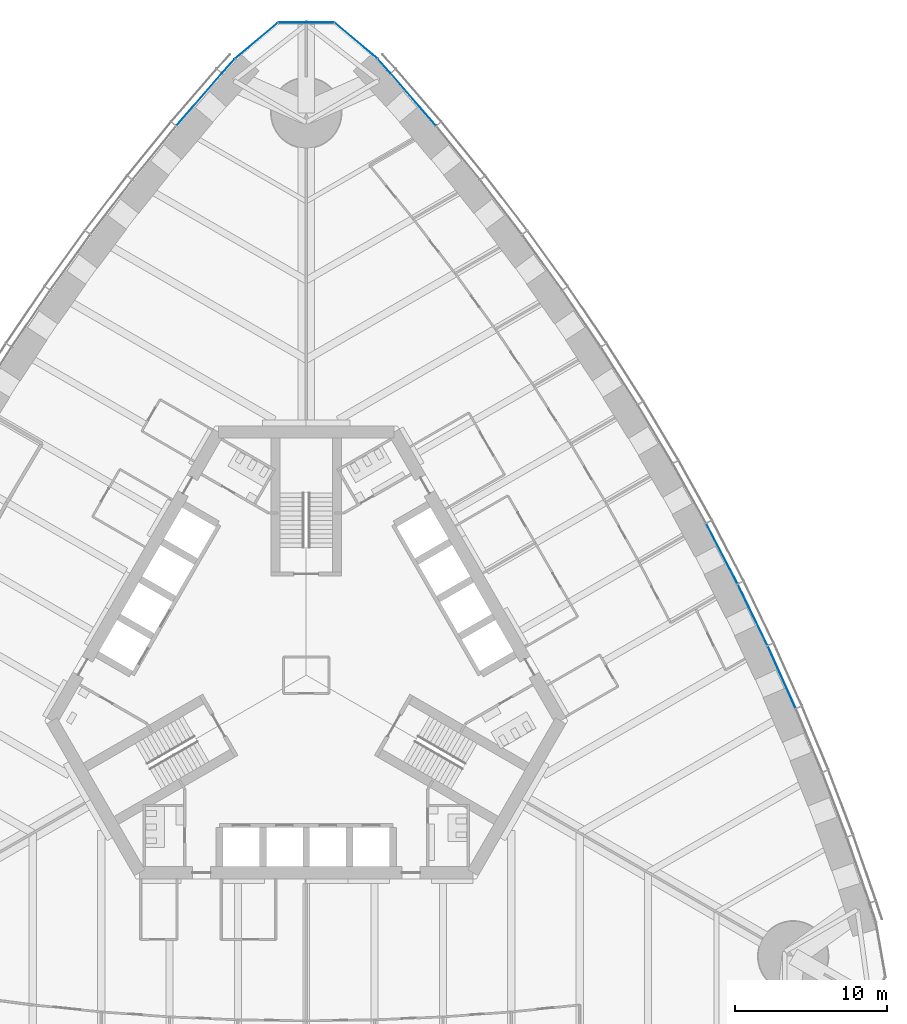
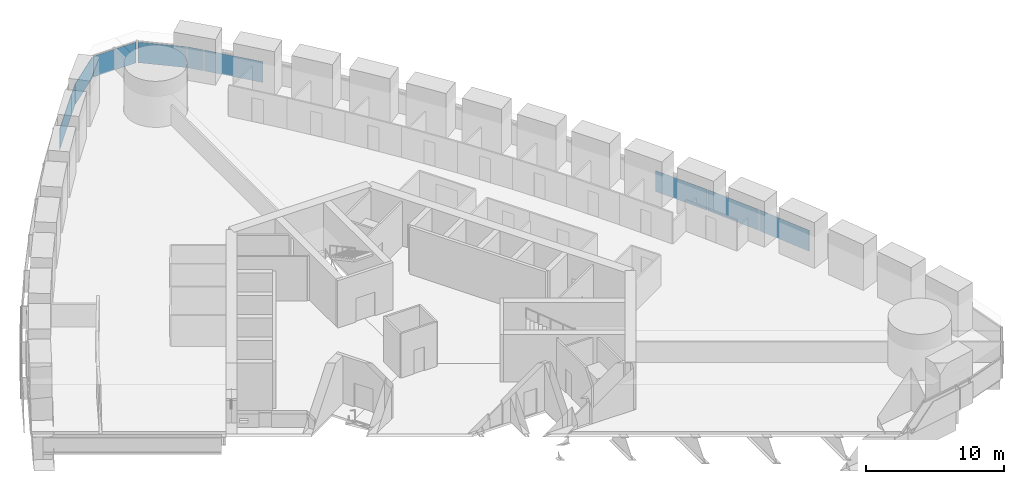
# One storey, part 9 of 18: 10 plates, 3 elements without a shape of their own.
"""IFC4 building model written with IfcOpenShell, lengths in metres."""

from ifc_helpers import new_model, si_unit, direction, frame, origin, origin_2d, place, context, subcontext, project, spatial, rectangle, extrude, material, layer, layer_set, type_object, element, aggregate, save


model = new_model("IFC4")

# Units and contexts
model_context = context("Model", 3, precision=1e-05, world=origin(), true_north=direction((0.0, 1.0)))
body_context = subcontext(model_context, "Body", "Model", "MODEL_VIEW")
ifc_project = project(units=[si_unit("LENGTHUNIT", "METRE"), si_unit("AREAUNIT", "SQUARE_METRE"), si_unit("VOLUMEUNIT", "CUBIC_METRE"), si_unit("PLANEANGLEUNIT", "RADIAN"), si_unit("MASSUNIT", "GRAM", prefix="KILO")], contexts=[model_context])

# Site, building, storey
site_placement = place(None, origin())
site = spatial("IfcSite", under=ifc_project, at=site_placement, CompositionType="ELEMENT")
building_placement = place(site_placement, origin())
building = spatial("IfcBuilding", under=site, at=building_placement, Name="Trefoil Bronze Tower", CompositionType="ELEMENT")
storey_placement = place(building_placement, frame((0.0, 0.0, 87.89990234375)))
storey = spatial("IfcBuildingStorey", under=building, at=storey_placement, Name="L20", CompositionType="ELEMENT", Elevation=87.89990234375)

# Curtain wall, plates
ifc_material_1 = material(Name="Tinted solar-control glass", Category="glass")
curtain_wall_type_1 = type_object("IfcCurtainWallType", Name="Bronze office curtain wall", PredefinedType="USERDEFINED", material=ifc_material_1)
curtain_wall_1_placement = place(storey_placement, origin())
curtain_wall_1 = element("IfcCurtainWall", 1, at=curtain_wall_1_placement, inside=storey, type_object=curtain_wall_type_1, Name="CW-A L20 F2", ObjectType="CURTAIN WALL", PredefinedType="USERDEFINED")
ifc_material_2 = material(Name="Tinted solar-control glass", Category="glass")
ifc_layer_1 = layer(ifc_material_2, 0.030029296875)
ifc_layer_set_1 = layer_set([ifc_layer_1], Name="Bronze office curtain wall glass panel")
plate_type_1 = type_object("IfcPlateType", Name="Bronze office curtain wall glass panel", PredefinedType="CURTAIN_PANEL", material=ifc_layer_set_1)
plate_1_placement = place(storey_placement, frame((31.28857421875, -0.1337890625, 0.0), z_axis=(0.0, 0.0, 1.0), x_axis=(-0.40945635808, 0.912329705111, 0.0)))
plate_1 = element("IfcPlate", 2, at=plate_1_placement, type_object=plate_type_1, Name="CW-A L20 F2 panel 5", PredefinedType="CURTAIN_PANEL", context=body_context, shape_type="SweptSolid", body=[
    extrude(rectangle(XDim=4.443359375, YDim=0.030029296875, at=origin_2d()), origin(), (0.0, 0.0, 1.0), 1.85009765625),
])
plate_2_placement = place(storey_placement, frame((29.3779296875, 3.962646484375, 0.0), z_axis=(0.0, 0.0, 1.0), x_axis=(-0.4358553457, 0.900016731858, 0.0)))
plate_2 = element("IfcPlate", 3, at=plate_2_placement, type_object=plate_type_1, Name="CW-A L20 F2 panel 6", PredefinedType="CURTAIN_PANEL", context=body_context, shape_type="SweptSolid", body=[
    extrude(rectangle(XDim=4.431884765625, YDim=0.030029296875, at=origin_2d()), origin(), (0.0, 0.0, 1.0), 1.85009765625),
])
plate_3_placement = place(storey_placement, frame((27.353271484375, 7.9931640625, 0.0), z_axis=(0.0, 0.0, 1.0), x_axis=(-0.46182981834, 0.886968555752, 0.0)))
plate_3 = element("IfcPlate", 4, at=plate_3_placement, type_object=plate_type_1, Name="CW-A L20 F2 panel 7", PredefinedType="CURTAIN_PANEL", context=body_context, shape_type="SweptSolid", body=[
    extrude(rectangle(XDim=4.42431640625, YDim=0.030029296875, at=origin_2d()), origin(), (0.0, 0.0, 1.0), 1.85009765625),
])
plate_4_placement = place(storey_placement, frame((7.056396484375, 37.870849609375, 0.0), z_axis=(0.0, 0.0, 1.0), x_axis=(-0.654376090833, 0.756169248083, 0.0)))
plate_4 = element("IfcPlate", 5, at=plate_4_placement, type_object=plate_type_1, Name="CW-A L20 F2 panel 15", PredefinedType="CURTAIN_PANEL", context=body_context, shape_type="SweptSolid", body=[
    extrude(rectangle(XDim=4.502197265625, YDim=0.030029296875, at=origin_2d()), origin(), (0.0, 0.0, 1.0), 1.85009765625),
])
plate_5_placement = place(storey_placement, frame((5.12451171875, 40.08447265625, 0.0), z_axis=(0.0, 0.0, 1.0), x_axis=(-0.668575006272, 0.743644714221, 0.0)))
plate_5 = element("IfcPlate", 6, at=plate_5_placement, type_object=plate_type_1, Name="CW-A L20 F2 panel 16", PredefinedType="CURTAIN_PANEL", context=body_context, shape_type="SweptSolid", body=[
    extrude(rectangle(XDim=1.21044921875, YDim=0.030029296875, at=origin_2d()), origin(), (0.0, 0.0, 1.0), 1.85009765625),
])
aggregate(curtain_wall_1, [plate_1, plate_2, plate_3, plate_4, plate_5])

curtain_wall_2_placement = place(storey_placement, origin())
curtain_wall_2 = element("IfcCurtainWall", 7, at=curtain_wall_2_placement, inside=storey, type_object=curtain_wall_type_1, Name="CW-A L20 F3", ObjectType="CURTAIN WALL", PredefinedType="USERDEFINED")
plate_6_placement = place(storey_placement, frame((-5.12451171875, 40.08447265625, 0.0), z_axis=(0.0, 0.0, 1.0), x_axis=(-0.668575006272, -0.743644714221, 0.0)))
plate_6 = element("IfcPlate", 8, at=plate_6_placement, type_object=plate_type_1, Name="CW-A L20 F3 panel 1", PredefinedType="CURTAIN_PANEL", context=body_context, shape_type="SweptSolid", body=[
    extrude(rectangle(XDim=1.21044921875, YDim=0.030029296875, at=origin_2d()), origin(), (0.0, 0.0, 1.0), 1.85009765625),
])
plate_7_placement = place(storey_placement, frame((-7.056396484375, 37.870849609375, 0.0), z_axis=(0.0, 0.0, 1.0), x_axis=(-0.654376090833, -0.756169248083, 0.0)))
plate_7 = element("IfcPlate", 9, at=plate_7_placement, type_object=plate_type_1, Name="CW-A L20 F3 panel 2", PredefinedType="CURTAIN_PANEL", context=body_context, shape_type="SweptSolid", body=[
    extrude(rectangle(XDim=4.502197265625, YDim=0.030029296875, at=origin_2d()), origin(), (0.0, 0.0, 1.0), 1.85009765625),
])
aggregate(curtain_wall_2, [plate_6, plate_7])

ifc_material_3 = material(Name="Tinted solar-control glass", Category="glass")
curtain_wall_type_2 = type_object("IfcCurtainWallType", Name="Bronze rounded corner curtain wall", PredefinedType="USERDEFINED", material=ifc_material_3)
curtain_wall_3_placement = place(storey_placement, origin())
curtain_wall_3 = element("IfcCurtainWall", 10, at=curtain_wall_3_placement, inside=storey, type_object=curtain_wall_type_2, Name="CW-B L20 K2", ObjectType="CURTAIN WALL", PredefinedType="USERDEFINED")
ifc_material_4 = material(Name="Tinted solar-control glass", Category="glass")
ifc_layer_2 = layer(ifc_material_4, 0.030029296875)
ifc_layer_set_2 = layer_set([ifc_layer_2], Name="Bronze rounded corner curtain wall glass panel")
plate_type_2 = type_object("IfcPlateType", Name="Bronze rounded corner curtain wall glass panel", PredefinedType="CURTAIN_PANEL", material=ifc_layer_set_2)
plate_8_placement = place(storey_placement, frame((3.28564453125, 41.74658203125, 0.0), z_axis=(0.0, 0.0, 1.0), x_axis=(-0.766044443119, 0.642787609687, 0.0)))
plate_8 = element("IfcPlate", 11, at=plate_8_placement, type_object=plate_type_2, Name="CW-B L20 K2 panel 1", PredefinedType="CURTAIN_PANEL", context=body_context, shape_type="SweptSolid", body=[
    extrude(rectangle(XDim=3.588134765625, YDim=0.030029296875, at=origin_2d()), origin(), (0.0, 0.0, 1.0), 1.85009765625),
])
plate_9_placement = place(storey_placement, frame((0.0, 42.9423828125, 0.0), z_axis=(0.0, 0.0, 1.0), x_axis=(-1.0, 0.0, 0.0)))
plate_9 = element("IfcPlate", 12, at=plate_9_placement, type_object=plate_type_2, Name="CW-B L20 K2 panel 2", PredefinedType="CURTAIN_PANEL", context=body_context, shape_type="SweptSolid", body=[
    extrude(rectangle(XDim=3.588134765625, YDim=0.030029296875, at=origin_2d()), origin(), (0.0, 0.0, 1.0), 1.85009765625),
])
plate_10_placement = place(storey_placement, frame((-3.28564453125, 41.74658203125, 0.0), z_axis=(0.0, 0.0, 1.0), x_axis=(-0.766044443119, -0.642787609687, 0.0)))
plate_10 = element("IfcPlate", 13, at=plate_10_placement, type_object=plate_type_2, Name="CW-B L20 K2 panel 3", PredefinedType="CURTAIN_PANEL", context=body_context, shape_type="SweptSolid", body=[
    extrude(rectangle(XDim=3.588134765625, YDim=0.030029296875, at=origin_2d()), origin(), (0.0, 0.0, 1.0), 1.85009765625),
])
aggregate(curtain_wall_3, [plate_8, plate_9, plate_10])

save(model, "model.ifc")
